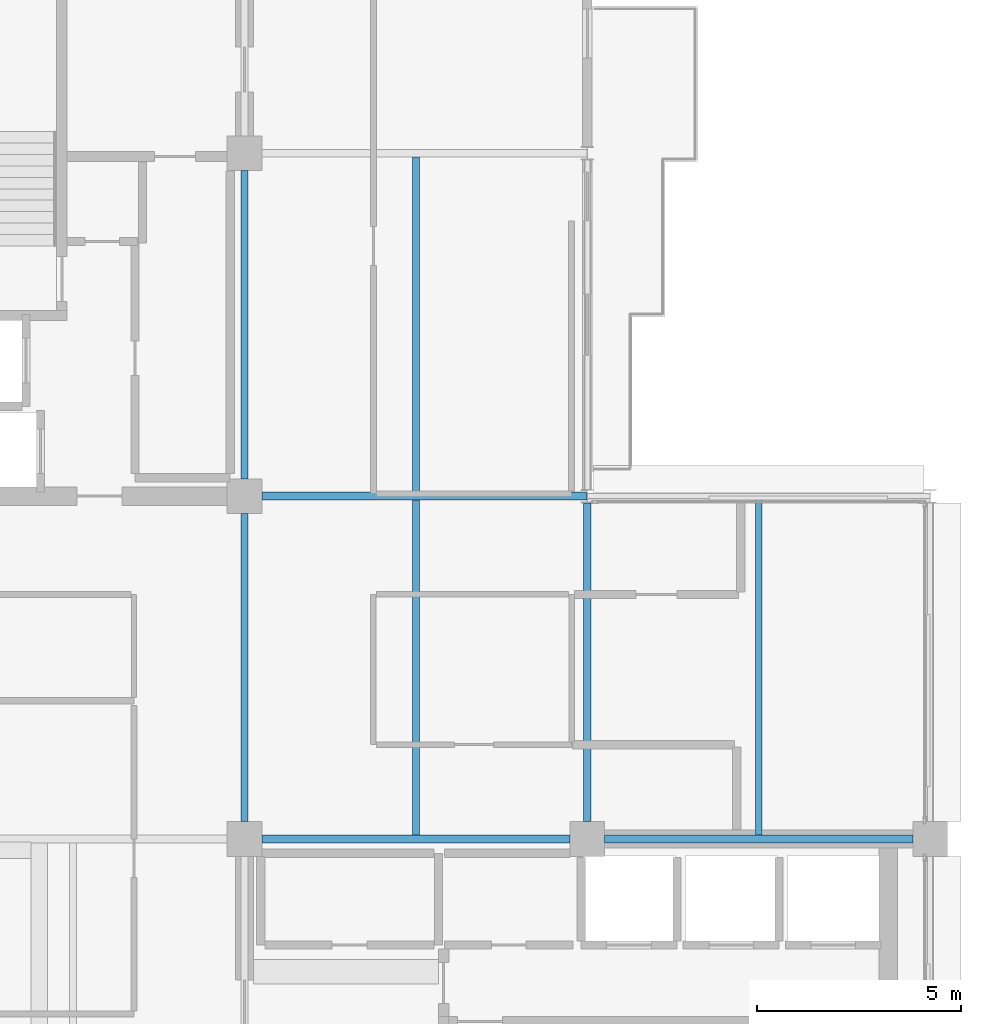
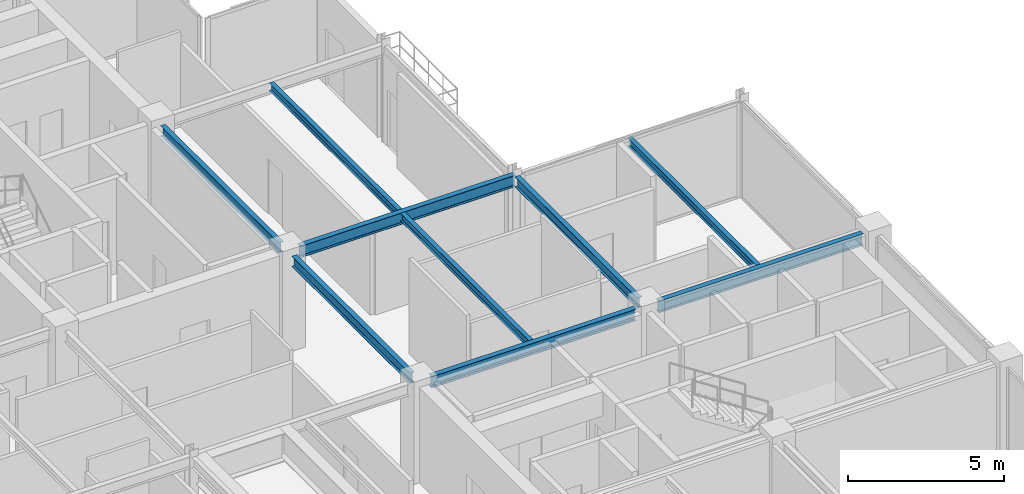
# One storey, part 12 of 25: 9 beams.
"""IFC4 building model written with IfcOpenShell, lengths in metres."""

from ifc_helpers import new_model, si_unit, direction, frame, origin, origin_2d, place, context, subcontext, project, spatial, i_section, extrude, material, material_profile, profile_set, type_object, element, save


model = new_model("IFC4")

# Units and contexts
model_context = context("Model", 3, precision=1e-05, world=origin(), true_north=direction((0.0, 1.0)))
body_context = subcontext(model_context, "Body", "Model", "MODEL_VIEW")
ifc_project = project(units=[si_unit("LENGTHUNIT", "METRE"), si_unit("AREAUNIT", "SQUARE_METRE"), si_unit("VOLUMEUNIT", "CUBIC_METRE"), si_unit("PLANEANGLEUNIT", "RADIAN"), si_unit("MASSUNIT", "GRAM", prefix="KILO")], contexts=[model_context])

# Site, building, storey
site_placement = place(None, origin())
site = spatial("IfcSite", under=ifc_project, at=site_placement, CompositionType="ELEMENT")
building_placement = place(site_placement, origin())
building = spatial("IfcBuilding", under=site, at=building_placement, Name="Nerrivon Quay Data Exchange", CompositionType="ELEMENT")
storey_placement = place(building_placement, frame((0.0, 0.0, 314.199951171875)))
storey = spatial("IfcBuildingStorey", under=building, at=storey_placement, Name="L75", CompositionType="ELEMENT", Elevation=314.199951171875)

# Beams
ifc_material = material(Name="Steel Grade 350", Category="steel")
ifc_material_profile_1 = material_profile(ifc_material, i_section(OverallWidth=0.18994140625, OverallDepth=0.4541015625, WebThickness=0.008544921875, FlangeThickness=0.0126953125, FilletRadius=0.011474609375, at=origin_2d()), Name="460UB67.1")
ifc_profile_set_1 = profile_set([ifc_material_profile_1], Name="Steel Grade 350")
beam_type_1 = type_object("IfcBeamType", Name="BM-G6-460UB67", PredefinedType="BEAM", material=ifc_profile_set_1)
beam_1_placement = place(storey_placement, frame((17.22509765625, 16.800048828125, 3.498046875), z_axis=(1.0, 0.0, 0.0), x_axis=(0.0, 1.0, 0.0)))
element("IfcBeam", 1, at=beam_1_placement, inside=storey, type_object=beam_type_1, Name="L75 EW Girder Y=16.8 (16.8..25.2)", PredefinedType="BEAM", context=body_context, shape_type="SweptSolid", body=[
    extrude(i_section(OverallWidth=0.18994140625, OverallDepth=0.4541015625, WebThickness=0.008544921875, FlangeThickness=0.0126953125, FilletRadius=0.011474609375, at=origin_2d()), origin(), (0.0, 0.0, 1.0), 7.5498046875),
])
beam_2_placement = place(storey_placement, frame((25.625, 16.800048828125, 3.498046875), z_axis=(1.0, 0.0, 0.0), x_axis=(0.0, 1.0, 0.0)))
element("IfcBeam", 2, at=beam_2_placement, inside=storey, type_object=beam_type_1, Name="L75 EW Girder Y=16.8 (25.2..33.6)", PredefinedType="BEAM", context=body_context, shape_type="SweptSolid", body=[
    extrude(i_section(OverallWidth=0.18994140625, OverallDepth=0.4541015625, WebThickness=0.008544921875, FlangeThickness=0.0126953125, FilletRadius=0.011474609375, at=origin_2d()), origin(), (0.0, 0.0, 1.0), 7.550048828125),
])
beam_3_placement = place(storey_placement, frame((17.22509765625, 25.199951171875, 3.498046875), z_axis=(1.0, 0.0, 0.0), x_axis=(0.0, 1.0, 0.0)))
element("IfcBeam", 3, at=beam_3_placement, inside=storey, type_object=beam_type_1, Name="L75 EW Girder Y=25.2 (16.8..25.2)", PredefinedType="BEAM", context=body_context, shape_type="SweptSolid", body=[
    extrude(i_section(OverallWidth=0.18994140625, OverallDepth=0.4541015625, WebThickness=0.008544921875, FlangeThickness=0.0126953125, FilletRadius=0.011474609375, at=origin_2d()), origin(), (0.0, 0.0, 1.0), 7.967041015625),
])
ifc_material_profile_2 = material_profile(ifc_material, i_section(OverallWidth=0.177978515625, OverallDepth=0.406005859375, WebThickness=0.0078125, FlangeThickness=0.0126953125, FilletRadius=0.011474609375, at=origin_2d()), Name="410UB59.7")
ifc_profile_set_2 = profile_set([ifc_material_profile_2], Name="Steel Grade 350")
beam_type_2 = type_object("IfcBeamType", Name="BM-J1-410UB60", PredefinedType="JOIST", material=ifc_profile_set_2)
beam_4_placement = place(storey_placement, frame((16.800048828125, 17.22509765625, 3.52197265625), z_axis=(0.0, 1.0, 0.0), x_axis=(-1.0, 0.0, 0.0)))
element("IfcBeam", 4, at=beam_4_placement, inside=storey, type_object=beam_type_2, Name="L75 NS Girder X=16.8 (16.8..25.2)", PredefinedType="JOIST", context=body_context, shape_type="SweptSolid", body=[
    extrude(i_section(OverallWidth=0.177978515625, OverallDepth=0.406005859375, WebThickness=0.0078125, FlangeThickness=0.0126953125, FilletRadius=0.011474609375, at=origin_2d()), origin(), (0.0, 0.0, 1.0), 7.5498046875),
])
beam_5_placement = place(storey_placement, frame((16.800048828125, 25.625, 3.52197265625), z_axis=(0.0, 1.0, 0.0), x_axis=(-1.0, 0.0, 0.0)))
element("IfcBeam", 5, at=beam_5_placement, inside=storey, type_object=beam_type_2, Name="L75 NS Girder X=16.8 (25.2..33.6)", PredefinedType="JOIST", context=body_context, shape_type="SweptSolid", body=[
    extrude(i_section(OverallWidth=0.177978515625, OverallDepth=0.406005859375, WebThickness=0.0078125, FlangeThickness=0.0126953125, FilletRadius=0.011474609375, at=origin_2d()), origin(), (0.0, 0.0, 1.0), 7.550048828125),
])
beam_6_placement = place(storey_placement, frame((25.199951171875, 17.22509765625, 3.52197265625), z_axis=(0.0, 1.0, 0.0), x_axis=(-1.0, 0.0, 0.0)))
element("IfcBeam", 6, at=beam_6_placement, inside=storey, type_object=beam_type_2, Name="L75 NS Girder X=25.2 (16.8..25.2)", PredefinedType="JOIST", context=body_context, shape_type="SweptSolid", body=[
    extrude(i_section(OverallWidth=0.177978515625, OverallDepth=0.406005859375, WebThickness=0.0078125, FlangeThickness=0.0126953125, FilletRadius=0.011474609375, at=origin_2d()), origin(), (0.0, 0.0, 1.0), 7.8115234375),
])
ifc_material_profile_3 = material_profile(ifc_material, i_section(OverallWidth=0.1650390625, OverallDepth=0.303955078125, WebThickness=0.006103515625, FlangeThickness=0.01025390625, FilletRadius=0.011474609375, at=origin_2d()), Name="310UB40.4")
ifc_profile_set_3 = profile_set([ifc_material_profile_3], Name="Steel Grade 350")
beam_type_3 = type_object("IfcBeamType", Name="BM-J6-310UB40", PredefinedType="JOIST", material=ifc_profile_set_3)
for number, where, z_axis, x_axis, name in (
    (7, (21.0, 16.89501953125, 3.572998046875), (0.0, 1.0, 0.0), (-1.0, 0.0, 0.0), "L75 Secondary Joist X=21.0 (16.8..25.2)"),
    (8, (21.0, 25.294921875, 3.572998046875), (0.0, 1.0, 0.0), (-1.0, 0.0, 0.0), "L75 Secondary Joist X=21.0 (25.2..33.6)"),
):
    element("IfcBeam", number, at=place(storey_placement, frame(where, z_axis=z_axis, x_axis=x_axis)), inside=storey, type_object=beam_type_3, Name=name, PredefinedType="JOIST", context=body_context, shape_type="SweptSolid", body=[
        extrude(i_section(OverallWidth=0.1650390625, OverallDepth=0.303955078125, WebThickness=0.006103515625, FlangeThickness=0.01025390625, FilletRadius=0.011474609375, at=origin_2d()), origin(), (0.0, 0.0, 1.0), 8.2099609375),
    ])
beam_7_placement = place(storey_placement, frame((29.39990234375, 16.89501953125, 3.572998046875), z_axis=(0.0, 1.0, 0.0), x_axis=(-1.0, 0.0, 0.0)))
element("IfcBeam", 9, at=beam_7_placement, inside=storey, type_object=beam_type_3, Name="L75 Secondary Joist X=29.4 (16.8..25.2)", PredefinedType="JOIST", context=body_context, shape_type="SweptSolid", body=[
    extrude(i_section(OverallWidth=0.1650390625, OverallDepth=0.303955078125, WebThickness=0.006103515625, FlangeThickness=0.01025390625, FilletRadius=0.011474609375, at=origin_2d()), origin(), (0.0, 0.0, 1.0), 8.22998046875),
])

save(model, "model.ifc")
